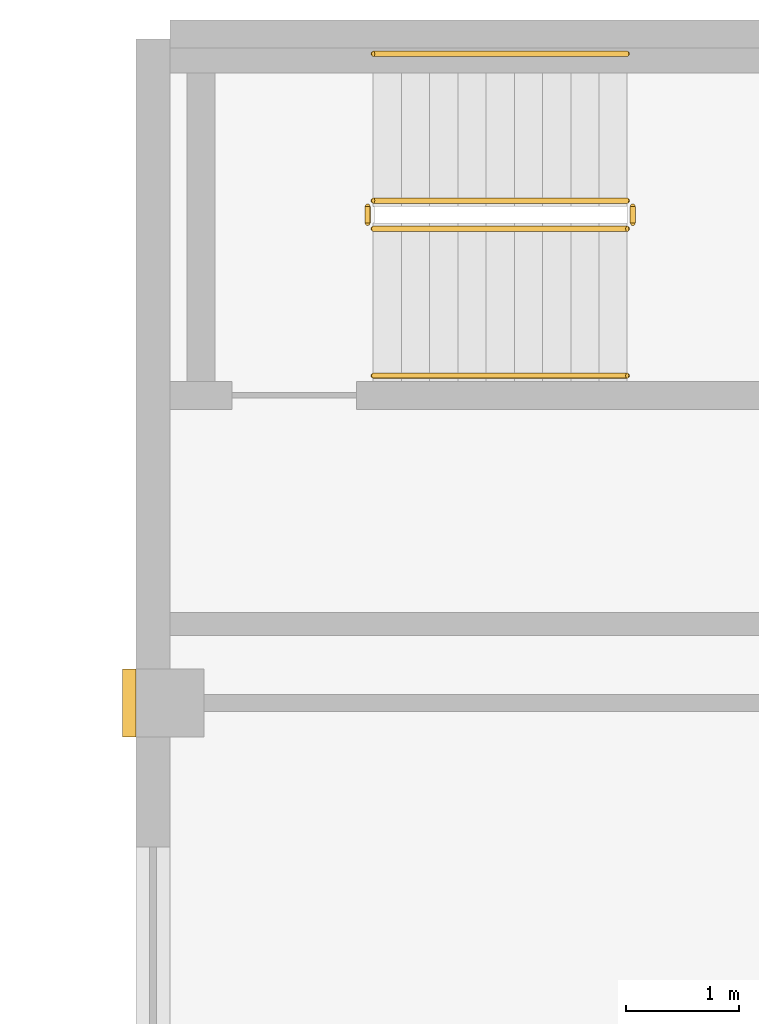
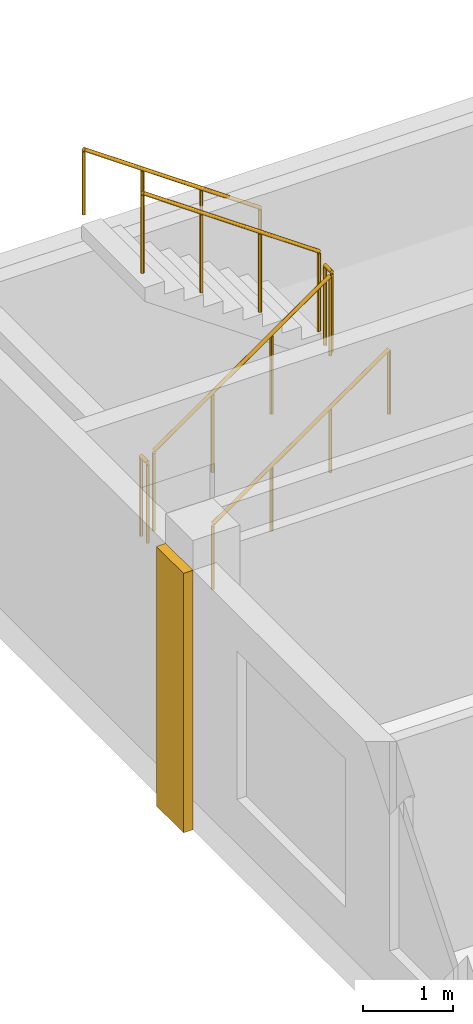
# One storey, part 9 of 9: 6 railings, 1 covering.
"""IFC4 building model written with IfcOpenShell, lengths in metres."""

from ifc_helpers import new_model, si_unit, direction, frame, origin, origin_2d, place, context, subcontext, project, spatial, rectangle, circle, extrude, source, transform, mapped, material, type_object, element, save


model = new_model("IFC4")

# Units and contexts
model_context = context("Model", 3, precision=1e-05, world=origin(), true_north=direction((0.0, 1.0)))
body_context = subcontext(model_context, "Body", "Model", "MODEL_VIEW")
ifc_project = project(units=[si_unit("LENGTHUNIT", "METRE"), si_unit("AREAUNIT", "SQUARE_METRE"), si_unit("VOLUMEUNIT", "CUBIC_METRE"), si_unit("PLANEANGLEUNIT", "RADIAN"), si_unit("MASSUNIT", "GRAM", prefix="KILO")], contexts=[model_context])

# Site, building, storey
site_placement = place(None, origin())
site = spatial("IfcSite", under=ifc_project, at=site_placement, CompositionType="ELEMENT")
building_placement = place(site_placement, origin())
building = spatial("IfcBuilding", under=site, at=building_placement, Name="Aurelian Terraces", CompositionType="ELEMENT")
storey_placement = place(building_placement, frame((0.0, 0.0, 340.5)))
storey = spatial("IfcBuildingStorey", under=building, at=storey_placement, Name="L80", CompositionType="ELEMENT", Elevation=340.5)

# Covering
ifc_material_1 = material(Name="Terracotta rainscreen cladding relief", Category="masonry")
covering_type = type_object("IfcCoveringType", Name="BAGUETTE-TC", PredefinedType="CLADDING", material=ifc_material_1)
shared_shape_1 = source(origin(), body_context, "Body", "SweptSolid", [
    extrude(rectangle(XDim=0.12, YDim=0.6, at=origin_2d()), origin(), (0.0, 0.0, 1.0), 3.5),
])
covering_placement = place(storey_placement, frame((10.44, 37.8, -0.4), z_axis=(0.0, 0.0, 1.0), x_axis=(1.0, 0.0, 0.0)))
element("IfcCovering", 1, at=covering_placement, inside=storey, type_object=covering_type, Name="BAGUETTE pier L80 5", PredefinedType="CLADDING", context=body_context, shape_type="MappedRepresentation", body=[
    mapped(shared_shape_1, transform((0.0, 0.0, 0.0), scale=1.0)),
])

# Railings
ifc_material_2 = material(Name="Stainless steel", Category="steel")
railing_type_1 = type_object("IfcRailingType", Name="Stair guard 1100", PredefinedType="GUARDRAIL", material=ifc_material_2)
shared_shape_2 = source(origin(), body_context, "Body", "SweptSolid", [
    extrude(circle(Radius=0.024, at=origin_2d()), frame((0.0, 0.0, 1.076), z_axis=(0.0, 1.0, 0.0), x_axis=(-1.0, 0.0, 0.0)), (0.0, 0.0, 1.0), 0.15),
    extrude(circle(Radius=0.021, at=origin_2d()), origin(), (0.0, 0.0, 1.0), 1.052),
    extrude(circle(Radius=0.021, at=origin_2d()), frame((0.0, 0.15, 0.0)), (0.0, 0.0, 1.0), 1.052),
])
for number, where, name in (
    (2, (14.9, 42.05, 1.75), "L80 S3U stair guard 2"),
    (3, (12.55, 42.05, 0.0), "L80 S3U stair guard 4"),
):
    element("IfcRailing", number, at=place(storey_placement, frame(where)), inside=storey, type_object=railing_type_1, Name=name, PredefinedType="GUARDRAIL", context=body_context, shape_type="MappedRepresentation", body=[
        mapped(shared_shape_2, transform((0.0, 0.0, 0.0), scale=1.0)),
    ])
shared_shape_3 = source(origin(), body_context, "Body", "SweptSolid", [
    extrude(circle(Radius=0.024, at=origin_2d()), frame((0.0, 0.0, 1.076), z_axis=(0.819231920519, 0.0, 0.573462344363), x_axis=(0.0, 1.0, 0.0)), (0.0, 0.0, 1.0), 2.7465),
    extrude(circle(Radius=0.021, at=origin_2d()), origin(), (0.0, 0.0, 1.0), 1.052),
    extrude(circle(Radius=0.021, at=origin_2d()), frame((0.75, 0.0, 0.525)), (0.0, 0.0, 1.0), 1.052),
    extrude(circle(Radius=0.021, at=origin_2d()), frame((1.5, 0.0, 1.05)), (0.0, 0.0, 1.0), 1.052),
    extrude(circle(Radius=0.021, at=origin_2d()), frame((2.25, 0.0, 1.575)), (0.0, 0.0, 1.0), 1.052),
])
railing_1_placement = place(storey_placement, frame((12.6, 42.0, 0.175)))
element("IfcRailing", 4, at=railing_1_placement, inside=storey, type_object=railing_type_1, Name="L80 S3U stair guard 1", PredefinedType="GUARDRAIL", context=body_context, shape_type="MappedRepresentation", body=[
    mapped(shared_shape_3, transform((0.0, 0.0, 0.0), scale=1.0)),
])
shared_shape_4 = source(origin(), body_context, "Body", "SweptSolid", [
    extrude(circle(Radius=0.024, at=origin_2d()), frame((0.0, 0.0, 1.076), z_axis=(-0.819231920519, 0.0, 0.573462344363), x_axis=(0.0, -1.0, 0.0)), (0.0, 0.0, 1.0), 2.7465),
    extrude(circle(Radius=0.021, at=origin_2d()), origin(), (0.0, 0.0, 1.0), 1.052),
    extrude(circle(Radius=0.021, at=origin_2d()), frame((-0.75, 0.0, 0.525)), (0.0, 0.0, 1.0), 1.052),
    extrude(circle(Radius=0.021, at=origin_2d()), frame((-1.5, 0.0, 1.05)), (0.0, 0.0, 1.0), 1.052),
    extrude(circle(Radius=0.021, at=origin_2d()), frame((-2.25, 0.0, 1.575)), (0.0, 0.0, 1.0), 1.052),
])
railing_2_placement = place(storey_placement, frame((14.85, 42.25, 1.925)))
element("IfcRailing", 5, at=railing_2_placement, inside=storey, type_object=railing_type_1, Name="L80 S3U stair guard 3", PredefinedType="GUARDRAIL", context=body_context, shape_type="MappedRepresentation", body=[
    mapped(shared_shape_4, transform((0.0, 0.0, 0.0), scale=1.0)),
])
railing_type_2 = type_object("IfcRailingType", Name="Stair handrail", PredefinedType="HANDRAIL", material=ifc_material_2)
shared_shape_5 = source(origin(), body_context, "Body", "SweptSolid", [
    extrude(circle(Radius=0.024, at=origin_2d()), frame((0.0, 0.0, 0.876), z_axis=(0.819231920519, 0.0, 0.573462344363), x_axis=(0.0, 1.0, 0.0)), (0.0, 0.0, 1.0), 2.7465),
    extrude(circle(Radius=0.021, at=origin_2d()), origin(), (0.0, 0.0, 1.0), 0.852),
    extrude(circle(Radius=0.021, at=origin_2d()), frame((0.75, 0.0, 0.525)), (0.0, 0.0, 1.0), 0.852),
    extrude(circle(Radius=0.021, at=origin_2d()), frame((1.5, 0.0, 1.05)), (0.0, 0.0, 1.0), 0.852),
    extrude(circle(Radius=0.021, at=origin_2d()), frame((2.25, 0.0, 1.575)), (0.0, 0.0, 1.0), 0.852),
])
railing_3_placement = place(storey_placement, frame((12.6, 40.7, 0.175)))
element("IfcRailing", 6, at=railing_3_placement, inside=storey, type_object=railing_type_2, Name="L80 S3U stair handrail 1", PredefinedType="HANDRAIL", context=body_context, shape_type="MappedRepresentation", body=[
    mapped(shared_shape_5, transform((0.0, 0.0, 0.0), scale=1.0)),
])
shared_shape_6 = source(origin(), body_context, "Body", "SweptSolid", [
    extrude(circle(Radius=0.024, at=origin_2d()), frame((0.0, 0.0, 0.876), z_axis=(-0.819231920519, 0.0, 0.573462344363), x_axis=(0.0, -1.0, 0.0)), (0.0, 0.0, 1.0), 2.7465),
    extrude(circle(Radius=0.021, at=origin_2d()), origin(), (0.0, 0.0, 1.0), 0.852),
    extrude(circle(Radius=0.021, at=origin_2d()), frame((-0.75, 0.0, 0.525)), (0.0, 0.0, 1.0), 0.852),
    extrude(circle(Radius=0.021, at=origin_2d()), frame((-1.5, 0.0, 1.05)), (0.0, 0.0, 1.0), 0.852),
    extrude(circle(Radius=0.021, at=origin_2d()), frame((-2.25, 0.0, 1.575)), (0.0, 0.0, 1.0), 0.852),
])
railing_4_placement = place(storey_placement, frame((14.85, 43.55, 1.925)))
element("IfcRailing", 7, at=railing_4_placement, inside=storey, type_object=railing_type_2, Name="L80 S3U stair handrail 2", PredefinedType="HANDRAIL", context=body_context, shape_type="MappedRepresentation", body=[
    mapped(shared_shape_6, transform((0.0, 0.0, 0.0), scale=1.0)),
])

save(model, "model.ifc")
